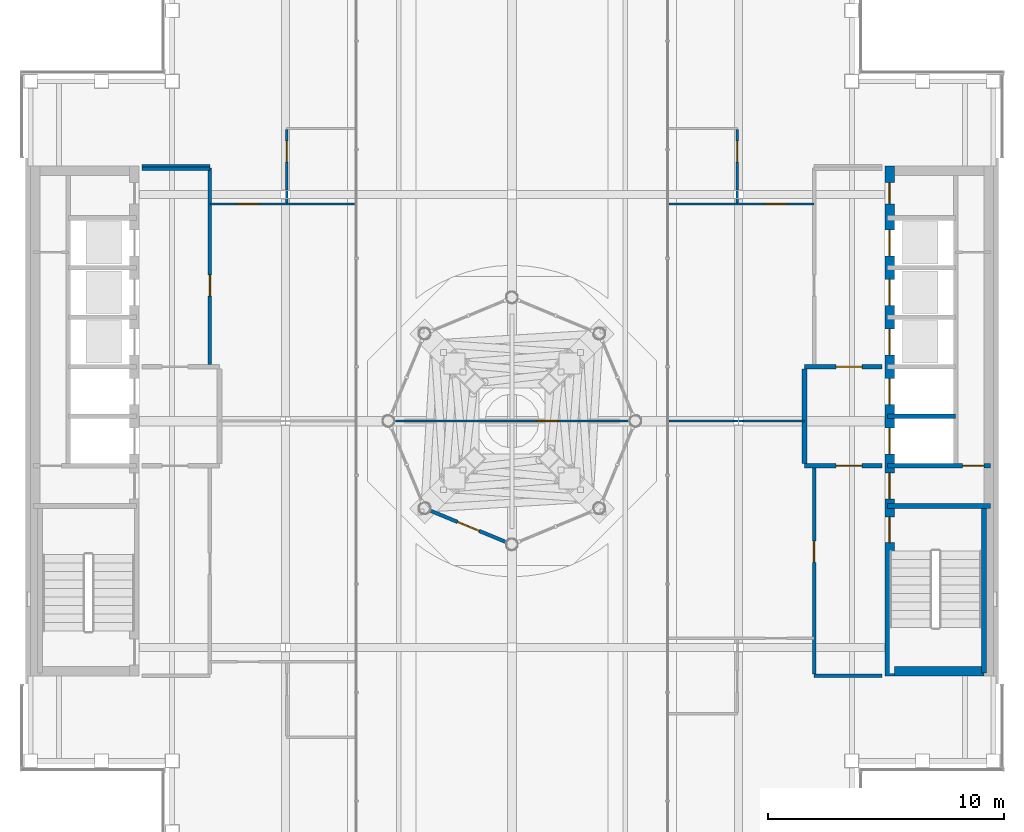
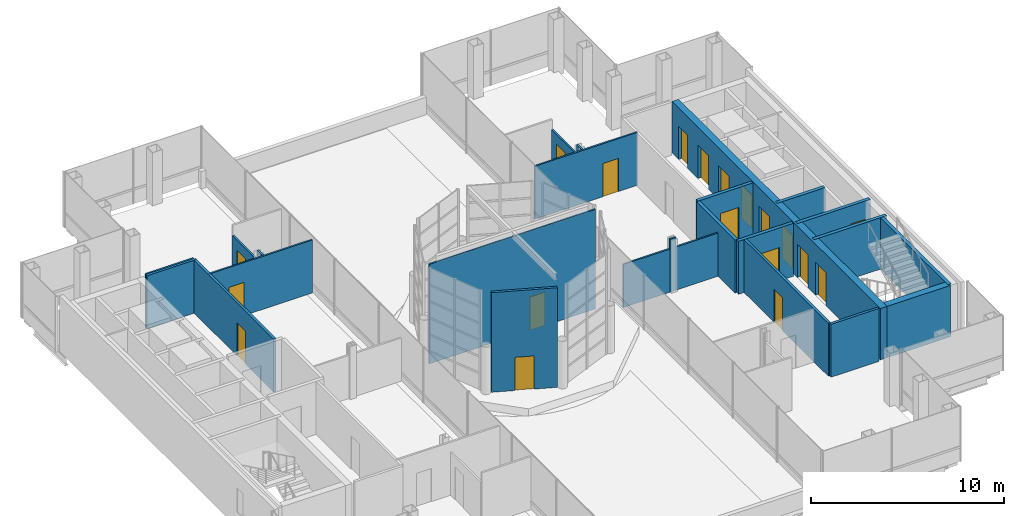
# One storey, part 26 of 32: 25 walls, 19 doors, 19 openings.
"""IFC4 building model written with IfcOpenShell, lengths in metres."""

from ifc_helpers import new_model, si_unit, direction, frame, frame_2d, origin, place, context, subcontext, project, spatial, rectangle, extrude, material, layer, layer_set, type_object, element, fill, save


model = new_model("IFC4")

# Units and contexts
model_context = context("Model", 3, precision=1e-05, world=origin(), true_north=direction((0.0, 1.0)))
body_context = subcontext(model_context, "Body", "Model", "MODEL_VIEW")
ifc_project = project(units=[si_unit("LENGTHUNIT", "METRE"), si_unit("AREAUNIT", "SQUARE_METRE"), si_unit("VOLUMEUNIT", "CUBIC_METRE"), si_unit("PLANEANGLEUNIT", "RADIAN"), si_unit("MASSUNIT", "GRAM", prefix="KILO")], contexts=[model_context])

# Site, building, storey
site_placement = place(None, origin())
site = spatial("IfcSite", under=ifc_project, at=site_placement, CompositionType="ELEMENT")
building_placement = place(site_placement, origin())
building = spatial("IfcBuilding", under=site, at=building_placement, Name="Cobrizo Arcos Hotel Tower", CompositionType="ELEMENT")
storey_placement = place(building_placement, frame((0.0, 0.0, 265.5)))
storey = spatial("IfcBuildingStorey", under=building, at=storey_placement, Name="L70", CompositionType="ELEMENT", Elevation=265.5)

# Walls
ifc_material_1 = material(Name="Gypsum board partition")
ifc_layer_1 = layer(ifc_material_1, 0.14990234375)
ifc_layer_set_1 = layer_set([ifc_layer_1], Name="Corridor wall EI 60 150")
wall_type_1 = type_object("IfcWallType", Name="Corridor wall EI 60 150", PredefinedType="PARTITIONING", material=ifc_layer_set_1)
for number, where, z_axis, x_axis, name in (
    (1, (12.800048828125, -10.800048828125, 0.0), (0.0, 0.0, 1.0), (1.0, 0.0, 0.0), "Partition 004"),
    (2, (-15.679931640625, 10.699951171875, 0.0), (0.0, 0.0, 1.0), (1.0, 0.0, 0.0), "Partition 035"),
    (3, (-15.679931640625, 10.800048828125, 0.0), (0.0, 0.0, 1.0), (1.0, 0.0, 0.0), "Partition 037"),
):
    element("IfcWall", number, at=place(storey_placement, frame(where, z_axis=z_axis, x_axis=x_axis)), inside=storey, type_object=wall_type_1, Name=name, PredefinedType="PARTITIONING", context=body_context, shape_type="SweptSolid", body=[
        extrude(rectangle(XDim=2.8798828125, YDim=0.14990234375, at=frame_2d((1.43994140625, 0.0))), origin(), (0.0, 0.0, 1.0), 3.35009765625),
    ])

# Wall, opening, door
wall_1_placement = place(storey_placement, frame((-12.800048828125, 2.39990234375, 0.0), z_axis=(0.0, 0.0, 1.0), x_axis=(0.0, 1.0, 0.0)))
wall_1 = element("IfcWall", 4, at=wall_1_placement, inside=storey, type_object=wall_type_1, Name="Partition 044", PredefinedType="PARTITIONING", context=body_context, shape_type="SweptSolid", body=[
    extrude(rectangle(XDim=8.3251953125, YDim=0.14990234375, at=frame_2d((4.16259765625, 0.0))), origin(), (0.0, 0.0, 1.0), 3.35009765625),
])
opening_1_placement = place(wall_1_placement, frame((2.889892578125, 0.0, 0.0)))
opening_1 = element("IfcOpeningElement", 5, at=opening_1_placement, cuts=wall_1, Name="Opening RD-11", PredefinedType="OPENING", context=body_context, shape_type="SweptSolid", body=[
    extrude(rectangle(XDim=0.89990234375, YDim=2.10009765625, at=frame_2d((0.449951171875, 1.050048828125))), frame((0.0, 0.0869140625, 0.0), z_axis=(0.0, -1.0, 0.0), x_axis=(1.0, 0.0, 0.0)), (0.0, 0.0, 1.0), 0.173828125),
])
ifc_material_2 = material(Name="Timber door leaf", Category="wood")
door_type_1 = type_object("IfcDoorType", Name="Room door FD30 900x2100", OperationType="SINGLE_SWING_LEFT", PredefinedType="DOOR", material=ifc_material_2)
door_1_placement = place(opening_1_placement, origin())
door_1 = element("IfcDoor", 6, at=door_1_placement, inside=storey, type_object=door_type_1, Name="Door RD-11", OperationType="SINGLE_SWING_LEFT", OverallHeight=2.10009765625, OverallWidth=0.89990234375, PredefinedType="DOOR", context=body_context, shape_type="SweptSolid", body=[
    extrude(rectangle(XDim=0.89990234375, YDim=2.10009765625, at=frame_2d((0.449951171875, 1.050048828125))), frame((0.0, 0.02490234375, 0.0), z_axis=(0.0, -1.0, 0.0), x_axis=(1.0, 0.0, 0.0)), (0.0, 0.0, 1.0), 0.050048828125),
])
fill(opening_1, door_1)

wall_2_placement = place(storey_placement, frame((12.800048828125, -10.72509765625, 0.0), z_axis=(0.0, 0.0, 1.0), x_axis=(0.0, 1.0, 0.0)))
wall_2 = element("IfcWall", 7, at=wall_2_placement, inside=storey, type_object=wall_type_1, Name="Partition 054", PredefinedType="PARTITIONING", context=body_context, shape_type="SweptSolid", body=[
    extrude(rectangle(XDim=8.72509765625, YDim=0.14990234375, at=frame_2d((4.362548828125, 0.0))), origin(), (0.0, 0.0, 1.0), 3.35009765625),
])
opening_2_placement = place(wall_2_placement, frame((4.735107421875, 0.0, 0.0)))
opening_2 = element("IfcOpeningElement", 8, at=opening_2_placement, cuts=wall_2, Name="Opening RD-09", PredefinedType="OPENING", context=body_context, shape_type="SweptSolid", body=[
    extrude(rectangle(XDim=0.89990234375, YDim=2.10009765625, at=frame_2d((0.449951171875, 1.050048828125))), frame((0.0, 0.0869140625, 0.0), z_axis=(0.0, -1.0, 0.0), x_axis=(1.0, 0.0, 0.0)), (0.0, 0.0, 1.0), 0.173828125),
])
door_2_placement = place(opening_2_placement, origin())
door_2 = element("IfcDoor", 9, at=door_2_placement, inside=storey, type_object=door_type_1, Name="Door RD-09", OperationType="SINGLE_SWING_RIGHT", OverallHeight=2.10009765625, OverallWidth=0.89990234375, PredefinedType="DOOR", context=body_context, shape_type="SweptSolid", body=[
    extrude(rectangle(XDim=0.89990234375, YDim=2.10009765625, at=frame_2d((0.449951171875, 1.050048828125))), frame((0.0, 0.02490234375, 0.0), z_axis=(0.0, -1.0, 0.0), x_axis=(1.0, 0.0, 0.0)), (0.0, 0.0, 1.0), 0.050048828125),
])
fill(opening_2, door_2)

ifc_material_3 = material(Name="Aluminium composite panel pale metal", Category="aluminium")
ifc_layer_2 = layer(ifc_material_3, 0.14990234375)
ifc_layer_set_2 = layer_set([ifc_layer_2], Name="DW-1 drum door wall 150")
wall_type_2 = type_object("IfcWallType", Name="DW-1 drum door wall 150", PredefinedType="SOLIDWALL", material=ifc_layer_set_2)
wall_3_placement = place(storey_placement, frame((-3.4375, -3.80859375, 0.5), z_axis=(0.0, 0.0, 1.0), x_axis=(0.923875699159, -0.382692686764, 0.0)))
wall_3 = element("IfcWall", 10, at=wall_3_placement, inside=storey, type_object=wall_type_2, Name="Drum door wall", PredefinedType="SOLIDWALL", context=body_context, shape_type="SweptSolid", body=[
    extrude(rectangle(XDim=3.436767578125, YDim=0.14990234375, at=frame_2d((1.71826171875, 0.0))), origin(), (0.0, 0.0, 1.0), 6.300048828125),
])
opening_3_placement = place(wall_3_placement, frame((1.218505859375, 0.0, 0.0)))
opening_3 = element("IfcOpeningElement", 11, at=opening_3_placement, cuts=wall_3, Name="Opening R-01", PredefinedType="OPENING", context=body_context, shape_type="SweptSolid", body=[
    extrude(rectangle(XDim=1.0, YDim=2.10009765625, at=frame_2d((0.5, 1.050048828125))), frame((0.0, 0.0869140625, 0.0), z_axis=(0.0, -1.0, 0.0), x_axis=(1.0, 0.0, 0.0)), (0.0, 0.0, 1.0), 0.173828125),
])
ifc_material_4 = material(Name="Steel painted louvred", Category="steel")
door_type_2 = type_object("IfcDoorType", Name="D-R1 plant access door 1000x2100", OperationType="SINGLE_SWING_LEFT", PredefinedType="DOOR", material=ifc_material_4)
door_3_placement = place(opening_3_placement, origin())
door_3 = element("IfcDoor", 12, at=door_3_placement, inside=storey, type_object=door_type_2, Name="Plant access door R-01", OperationType="SINGLE_SWING_LEFT", OverallHeight=2.10009765625, OverallWidth=1.0, PredefinedType="DOOR", context=body_context, shape_type="SweptSolid", body=[
    extrude(rectangle(XDim=1.0, YDim=2.10009765625, at=frame_2d((0.5, 1.050048828125))), frame((0.0, 0.02490234375, 0.0), z_axis=(0.0, -1.0, 0.0), x_axis=(1.0, 0.0, 0.0)), (0.0, 0.0, 1.0), 0.050048828125),
])
fill(opening_3, door_3)

ifc_layer_3 = layer(ifc_material_3, 0.10009765625)
ifc_layer_set_3 = layer_set([ifc_layer_3], Name="DW-2 plant partition 100")
wall_type_3 = type_object("IfcWallType", Name="DW-2 plant partition 100", PredefinedType="PARTITIONING", material=ifc_layer_set_3)
wall_4_placement = place(storey_placement, frame((-4.978515625, 0.0, 0.5), z_axis=(0.0, 0.0, 1.0), x_axis=(1.0, 0.0, 0.0)))
wall_4 = element("IfcWall", 13, at=wall_4_placement, inside=storey, type_object=wall_type_3, Name="Plant partition", PredefinedType="PARTITIONING", context=body_context, shape_type="SweptSolid", body=[
    extrude(rectangle(XDim=9.95703125, YDim=0.10009765625, at=frame_2d((4.978515625, 0.0))), origin(), (0.0, 0.0, 1.0), 6.293701171875),
])
opening_4_placement = place(wall_4_placement, frame((6.028564453125, 0.0, 0.0)))
opening_4 = element("IfcOpeningElement", 14, at=opening_4_placement, cuts=wall_4, Name="Opening R-02", PredefinedType="OPENING", context=body_context, shape_type="SweptSolid", body=[
    extrude(rectangle(XDim=0.89990234375, YDim=2.10009765625, at=frame_2d((0.449951171875, 1.050048828125))), frame((0.0, 0.06201171875, 0.0), z_axis=(0.0, -1.0, 0.0), x_axis=(1.0, 0.0, 0.0)), (0.0, 0.0, 1.0), 0.1240234375),
])
ifc_material_5 = material(Name="Steel painted", Category="steel")
door_type_3 = type_object("IfcDoorType", Name="D-R2 plant partition door 900x2100", OperationType="SINGLE_SWING_LEFT", PredefinedType="DOOR", material=ifc_material_5)
door_4_placement = place(opening_4_placement, origin())
door_4 = element("IfcDoor", 15, at=door_4_placement, inside=storey, type_object=door_type_3, Name="Plant partition door R-02", OperationType="SINGLE_SWING_LEFT", OverallHeight=2.10009765625, OverallWidth=0.89990234375, PredefinedType="DOOR", context=body_context, shape_type="SweptSolid", body=[
    extrude(rectangle(XDim=0.89990234375, YDim=2.10009765625, at=frame_2d((0.449951171875, 1.050048828125))), frame((0.0, 0.02490234375, 0.0), z_axis=(0.0, -1.0, 0.0), x_axis=(1.0, 0.0, 0.0)), (0.0, 0.0, 1.0), 0.050048828125),
])
fill(opening_4, door_4)

# Walls
ifc_layer_4 = layer(ifc_material_1, 0.10009765625)
ifc_layer_set_4 = layer_set([ifc_layer_4], Name="Partition EI 30 100")
wall_type_4 = type_object("IfcWallType", Name="Partition EI 30 100", PredefinedType="PARTITIONING", material=ifc_layer_set_4)
wall_5_placement = place(storey_placement, frame((6.64404296875, 0.0, 0.0), z_axis=(0.0, 0.0, 1.0), x_axis=(1.0, 0.0, 0.0)))
element("IfcWall", 16, at=wall_5_placement, inside=storey, type_object=wall_type_4, Name="Partition 016", PredefinedType="PARTITIONING", context=body_context, shape_type="SweptSolid", body=[
    extrude(rectangle(XDim=2.771728515625, YDim=0.10009765625, at=frame_2d((1.3857421875, 0.0))), origin(), (0.0, 0.0, 1.0), 2.72802734375),
])
wall_6_placement = place(storey_placement, frame((9.416015625, 0.0, 0.0), z_axis=(0.0, 0.0, 1.0), x_axis=(1.0, 0.0, 0.0)))
element("IfcWall", 17, at=wall_6_placement, inside=storey, type_object=wall_type_4, Name="Partition 017", PredefinedType="PARTITIONING", context=body_context, shape_type="SweptSolid", body=[
    extrude(rectangle(XDim=0.367919921875, YDim=0.10009765625, at=frame_2d((0.18408203125, 0.0))), origin(), (0.0, 0.0, 1.0), 3.35009765625),
])
wall_7_placement = place(storey_placement, frame((9.783935546875, 0.0, 0.0), z_axis=(0.0, 0.0, 1.0), x_axis=(1.0, 0.0, 0.0)))
element("IfcWall", 18, at=wall_7_placement, inside=storey, type_object=wall_type_4, Name="Partition 018", PredefinedType="PARTITIONING", context=body_context, shape_type="SweptSolid", body=[
    extrude(rectangle(XDim=2.615966796875, YDim=0.10009765625, at=frame_2d((1.30810546875, 0.0))), origin(), (0.0, 0.0, 1.0), 2.72802734375),
])

# Wall, opening, door
wall_8_placement = place(storey_placement, frame((-12.800048828125, 9.199951171875, 0.0), z_axis=(0.0, 0.0, 1.0), x_axis=(1.0, 0.0, 0.0)))
wall_8 = element("IfcWall", 19, at=wall_8_placement, inside=storey, type_object=wall_type_4, Name="Partition 033", PredefinedType="PARTITIONING", context=body_context, shape_type="SweptSolid", body=[
    extrude(rectangle(XDim=6.156005859375, YDim=0.10009765625, at=frame_2d((3.078125, 0.0))), origin(), (0.0, 0.0, 1.0), 3.35009765625),
])
opening_5_placement = place(wall_8_placement, frame((1.1630859375, 0.0, 0.0)))
opening_5 = element("IfcOpeningElement", 20, at=opening_5_placement, cuts=wall_8, Name="Opening RD-12", PredefinedType="OPENING", context=body_context, shape_type="SweptSolid", body=[
    extrude(rectangle(XDim=0.89990234375, YDim=2.10009765625, at=frame_2d((0.449951171875, 1.050048828125))), frame((0.0, 0.06201171875, 0.0), z_axis=(0.0, -1.0, 0.0), x_axis=(1.0, 0.0, 0.0)), (0.0, 0.0, 1.0), 0.1240234375),
])
door_5_placement = place(opening_5_placement, origin())
door_5 = element("IfcDoor", 21, at=door_5_placement, inside=storey, type_object=door_type_1, Name="Door RD-12", OperationType="SINGLE_SWING_LEFT", OverallHeight=2.10009765625, OverallWidth=0.89990234375, PredefinedType="DOOR", context=body_context, shape_type="SweptSolid", body=[
    extrude(rectangle(XDim=0.89990234375, YDim=2.10009765625, at=frame_2d((0.449951171875, 1.050048828125))), frame((0.0, 0.02490234375, 0.0), z_axis=(0.0, -1.0, 0.0), x_axis=(1.0, 0.0, 0.0)), (0.0, 0.0, 1.0), 0.050048828125),
])
fill(opening_5, door_5)

wall_9_placement = place(storey_placement, frame((6.64404296875, 9.199951171875, 0.0), z_axis=(0.0, 0.0, 1.0), x_axis=(1.0, 0.0, 0.0)))
wall_9 = element("IfcWall", 22, at=wall_9_placement, inside=storey, type_object=wall_type_4, Name="Partition 034", PredefinedType="PARTITIONING", context=body_context, shape_type="SweptSolid", body=[
    extrude(rectangle(XDim=6.156005859375, YDim=0.10009765625, at=frame_2d((3.078125, 0.0))), origin(), (0.0, 0.0, 1.0), 3.35009765625),
])
opening_6_placement = place(wall_9_placement, frame((4.093017578125, 0.0, 0.0)))
opening_6 = element("IfcOpeningElement", 23, at=opening_6_placement, cuts=wall_9, Name="Opening RD-08", PredefinedType="OPENING", context=body_context, shape_type="SweptSolid", body=[
    extrude(rectangle(XDim=0.89990234375, YDim=2.10009765625, at=frame_2d((0.449951171875, 1.050048828125))), frame((0.0, 0.06201171875, 0.0), z_axis=(0.0, -1.0, 0.0), x_axis=(1.0, 0.0, 0.0)), (0.0, 0.0, 1.0), 0.1240234375),
])
door_6_placement = place(opening_6_placement, origin())
door_6 = element("IfcDoor", 24, at=door_6_placement, inside=storey, type_object=door_type_1, Name="Door RD-08", OperationType="SINGLE_SWING_RIGHT", OverallHeight=2.10009765625, OverallWidth=0.89990234375, PredefinedType="DOOR", context=body_context, shape_type="SweptSolid", body=[
    extrude(rectangle(XDim=0.89990234375, YDim=2.10009765625, at=frame_2d((0.449951171875, 1.050048828125))), frame((0.0, 0.02490234375, 0.0), z_axis=(0.0, -1.0, 0.0), x_axis=(1.0, 0.0, 0.0)), (0.0, 0.0, 1.0), 0.050048828125),
])
fill(opening_6, door_6)

# Wall
wall_10_placement = place(storey_placement, frame((-9.550048828125, 9.25, 0.0), z_axis=(0.0, 0.0, 1.0), x_axis=(0.0, 1.0, 0.0)))
element("IfcWall", 25, at=wall_10_placement, inside=storey, type_object=wall_type_4, Name="Partition 047", PredefinedType="PARTITIONING", context=body_context, shape_type="SweptSolid", body=[
    extrude(rectangle(XDim=0.533935546875, YDim=0.10009765625, at=frame_2d((0.26708984375, 0.0))), origin(), (0.0, 0.0, 1.0), 3.35009765625),
])

# Wall, opening, door
wall_11_placement = place(storey_placement, frame((-9.550048828125, 9.783935546875, 0.0), z_axis=(0.0, 0.0, 1.0), x_axis=(0.0, 1.0, 0.0)))
wall_11 = element("IfcWall", 26, at=wall_11_placement, inside=storey, type_object=wall_type_4, Name="Partition 048", PredefinedType="PARTITIONING", context=body_context, shape_type="SweptSolid", body=[
    extrude(rectangle(XDim=2.566162109375, YDim=0.10009765625, at=frame_2d((1.283203125, 0.0))), origin(), (0.0, 0.0, 1.0), 2.72802734375),
])
opening_7_placement = place(wall_11_placement, frame((1.18603515625, 0.0, 0.0)))
opening_7 = element("IfcOpeningElement", 27, at=opening_7_placement, cuts=wall_11, Name="Opening ED-03", PredefinedType="OPENING", context=body_context, shape_type="SweptSolid", body=[
    extrude(rectangle(XDim=0.89990234375, YDim=2.10009765625, at=frame_2d((0.449951171875, 1.050048828125))), frame((0.0, 0.06201171875, 0.0), z_axis=(0.0, -1.0, 0.0), x_axis=(1.0, 0.0, 0.0)), (0.0, 0.0, 1.0), 0.1240234375),
])
door_type_4 = type_object("IfcDoorType", Name="En-suite door 900x2100", OperationType="SINGLE_SWING_LEFT", PredefinedType="DOOR", material=ifc_material_2)
door_7_placement = place(opening_7_placement, origin())
door_7 = element("IfcDoor", 28, at=door_7_placement, inside=storey, type_object=door_type_4, Name="Door ED-03", OperationType="SINGLE_SWING_LEFT", OverallHeight=2.10009765625, OverallWidth=0.89990234375, PredefinedType="DOOR", context=body_context, shape_type="SweptSolid", body=[
    extrude(rectangle(XDim=0.89990234375, YDim=2.10009765625, at=frame_2d((0.449951171875, 1.050048828125))), frame((0.0, 0.02490234375, 0.0), z_axis=(0.0, -1.0, 0.0), x_axis=(1.0, 0.0, 0.0)), (0.0, 0.0, 1.0), 0.050048828125),
])
fill(opening_7, door_7)

# Wall
wall_12_placement = place(storey_placement, frame((9.550048828125, 9.25, 0.0), z_axis=(0.0, 0.0, 1.0), x_axis=(0.0, 1.0, 0.0)))
element("IfcWall", 29, at=wall_12_placement, inside=storey, type_object=wall_type_4, Name="Partition 051", PredefinedType="PARTITIONING", context=body_context, shape_type="SweptSolid", body=[
    extrude(rectangle(XDim=0.533935546875, YDim=0.10009765625, at=frame_2d((0.26708984375, 0.0))), origin(), (0.0, 0.0, 1.0), 3.35009765625),
])

# Wall, opening, door
wall_13_placement = place(storey_placement, frame((9.550048828125, 9.783935546875, 0.0), z_axis=(0.0, 0.0, 1.0), x_axis=(0.0, 1.0, 0.0)))
wall_13 = element("IfcWall", 30, at=wall_13_placement, inside=storey, type_object=wall_type_4, Name="Partition 052", PredefinedType="PARTITIONING", context=body_context, shape_type="SweptSolid", body=[
    extrude(rectangle(XDim=2.566162109375, YDim=0.10009765625, at=frame_2d((1.283203125, 0.0))), origin(), (0.0, 0.0, 1.0), 2.72802734375),
])
opening_8_placement = place(wall_13_placement, frame((1.18603515625, 0.0, 0.0)))
opening_8 = element("IfcOpeningElement", 31, at=opening_8_placement, cuts=wall_13, Name="Opening ED-01", PredefinedType="OPENING", context=body_context, shape_type="SweptSolid", body=[
    extrude(rectangle(XDim=0.89990234375, YDim=2.10009765625, at=frame_2d((0.449951171875, 1.050048828125))), frame((0.0, 0.06201171875, 0.0), z_axis=(0.0, -1.0, 0.0), x_axis=(1.0, 0.0, 0.0)), (0.0, 0.0, 1.0), 0.1240234375),
])
door_8_placement = place(opening_8_placement, origin())
door_8 = element("IfcDoor", 32, at=door_8_placement, inside=storey, type_object=door_type_4, Name="Door ED-01", OperationType="SINGLE_SWING_RIGHT", OverallHeight=2.10009765625, OverallWidth=0.89990234375, PredefinedType="DOOR", context=body_context, shape_type="SweptSolid", body=[
    extrude(rectangle(XDim=0.89990234375, YDim=2.10009765625, at=frame_2d((0.449951171875, 1.050048828125))), frame((0.0, 0.02490234375, 0.0), z_axis=(0.0, -1.0, 0.0), x_axis=(1.0, 0.0, 0.0)), (0.0, 0.0, 1.0), 0.050048828125),
])
fill(opening_8, door_8)

# Wall, openings, doors
ifc_material_6 = material(Name="Concrete f'c 40 MPa", Category="concrete")
ifc_layer_5 = layer(ifc_material_6, 0.39990234375)
ifc_layer_set_5 = layer_set([ifc_layer_5], Name="RC core wall 400 f'c 40")
wall_type_5 = type_object("IfcWallType", Name="RC core wall 400 f'c 40", PredefinedType="SHEAR", material=ifc_layer_set_5)
wall_14_placement = place(storey_placement, frame((16.0, -10.800048828125, 0.0), z_axis=(0.0, 0.0, 1.0), x_axis=(0.0, 1.0, 0.0)))
wall_14 = element("IfcWall", 33, at=wall_14_placement, inside=storey, type_object=wall_type_5, Name="Core wall CW4, east core, inner face, L70", PredefinedType="SHEAR", context=body_context, shape_type="SweptSolid", body=[
    extrude(rectangle(XDim=21.60009765625, YDim=0.39990234375, at=frame_2d((10.800048828125, 0.0))), origin(), (0.0, 0.0, 1.0), 3.25),
])
opening_9_placement = place(wall_14_placement, frame((9.39990234375, 0.0, 0.0)))
opening_9 = element("IfcOpeningElement", 34, at=opening_9_placement, cuts=wall_14, Name="Opening LD-06", PredefinedType="OPENING", context=body_context, shape_type="SweptSolid", body=[
    extrude(rectangle(XDim=1.10009765625, YDim=2.10009765625, at=frame_2d((0.550048828125, 1.050048828125))), frame((0.0, 0.2119140625, 0.0), z_axis=(0.0, -1.0, 0.0), x_axis=(1.0, 0.0, 0.0)), (0.0, 0.0, 1.0), 0.423828125),
])
opening_10_placement = place(wall_14_placement, frame((11.5, 0.0, 0.0)))
opening_10 = element("IfcOpeningElement", 35, at=opening_10_placement, cuts=wall_14, Name="Opening LD-07", PredefinedType="OPENING", context=body_context, shape_type="SweptSolid", body=[
    extrude(rectangle(XDim=1.10009765625, YDim=2.10009765625, at=frame_2d((0.550048828125, 1.050048828125))), frame((0.0, 0.2119140625, 0.0), z_axis=(0.0, -1.0, 0.0), x_axis=(1.0, 0.0, 0.0)), (0.0, 0.0, 1.0), 0.423828125),
])
opening_11_placement = place(wall_14_placement, frame((13.60009765625, 0.0, 0.0)))
opening_11 = element("IfcOpeningElement", 36, at=opening_11_placement, cuts=wall_14, Name="Opening LD-08", PredefinedType="OPENING", context=body_context, shape_type="SweptSolid", body=[
    extrude(rectangle(XDim=1.10009765625, YDim=2.10009765625, at=frame_2d((0.550048828125, 1.050048828125))), frame((0.0, 0.2119140625, 0.0), z_axis=(0.0, -1.0, 0.0), x_axis=(1.0, 0.0, 0.0)), (0.0, 0.0, 1.0), 0.423828125),
])
opening_12_placement = place(wall_14_placement, frame((15.699951171875, 0.0, 0.0)))
opening_12 = element("IfcOpeningElement", 37, at=opening_12_placement, cuts=wall_14, Name="Opening LD-09", PredefinedType="OPENING", context=body_context, shape_type="SweptSolid", body=[
    extrude(rectangle(XDim=1.10009765625, YDim=2.10009765625, at=frame_2d((0.550048828125, 1.050048828125))), frame((0.0, 0.2119140625, 0.0), z_axis=(0.0, -1.0, 0.0), x_axis=(1.0, 0.0, 0.0)), (0.0, 0.0, 1.0), 0.423828125),
])
opening_13_placement = place(wall_14_placement, frame((17.800048828125, 0.0, 0.0)))
opening_13 = element("IfcOpeningElement", 38, at=opening_13_placement, cuts=wall_14, Name="Opening LD-10", PredefinedType="OPENING", context=body_context, shape_type="SweptSolid", body=[
    extrude(rectangle(XDim=1.10009765625, YDim=2.10009765625, at=frame_2d((0.550048828125, 1.050048828125))), frame((0.0, 0.2119140625, 0.0), z_axis=(0.0, -1.0, 0.0), x_axis=(1.0, 0.0, 0.0)), (0.0, 0.0, 1.0), 0.423828125),
])
opening_14_placement = place(wall_14_placement, frame((5.64208984375, 0.0, 0.0)))
opening_14 = element("IfcOpeningElement", 39, at=opening_14_placement, cuts=wall_14, Name="Opening SD-02", PredefinedType="OPENING", context=body_context, shape_type="SweptSolid", body=[
    extrude(rectangle(XDim=1.10009765625, YDim=2.10009765625, at=frame_2d((0.550048828125, 1.050048828125))), frame((0.0, 0.2119140625, 0.0), z_axis=(0.0, -1.0, 0.0), x_axis=(1.0, 0.0, 0.0)), (0.0, 0.0, 1.0), 0.423828125),
])
opening_15_placement = place(wall_14_placement, frame((7.5, 0.0, 0.0)))
opening_15 = element("IfcOpeningElement", 40, at=opening_15_placement, cuts=wall_14, Name="Opening FD-04", PredefinedType="OPENING", context=body_context, shape_type="SweptSolid", body=[
    extrude(rectangle(XDim=1.10009765625, YDim=2.10009765625, at=frame_2d((0.550048828125, 1.050048828125))), frame((0.0, 0.2119140625, 0.0), z_axis=(0.0, -1.0, 0.0), x_axis=(1.0, 0.0, 0.0)), (0.0, 0.0, 1.0), 0.423828125),
])
opening_16_placement = place(wall_14_placement, frame((20.0, 0.0, 0.0)))
opening_16 = element("IfcOpeningElement", 41, at=opening_16_placement, cuts=wall_14, Name="Opening RD-04", PredefinedType="OPENING", context=body_context, shape_type="SweptSolid", body=[
    extrude(rectangle(XDim=0.89990234375, YDim=2.10009765625, at=frame_2d((0.449951171875, 1.050048828125))), frame((0.0, 0.2119140625, 0.0), z_axis=(0.0, -1.0, 0.0), x_axis=(1.0, 0.0, 0.0)), (0.0, 0.0, 1.0), 0.423828125),
])
ifc_material_7 = material(Name="Steel door leaf", Category="steel")
door_type_5 = type_object("IfcDoorType", Name="Fire door FD60 1100x2100", OperationType="SINGLE_SWING_LEFT", PredefinedType="DOOR", material=ifc_material_7)
door_9_placement = place(opening_15_placement, origin())
door_9 = element("IfcDoor", 42, at=door_9_placement, inside=storey, type_object=door_type_5, Name="Door FD-04", OperationType="SINGLE_SWING_RIGHT", OverallHeight=2.10009765625, OverallWidth=1.10009765625, PredefinedType="DOOR", context=body_context, shape_type="SweptSolid", body=[
    extrude(rectangle(XDim=1.10009765625, YDim=2.10009765625, at=frame_2d((0.550048828125, 1.050048828125))), frame((0.0, 0.02490234375, 0.0), z_axis=(0.0, -1.0, 0.0), x_axis=(1.0, 0.0, 0.0)), (0.0, 0.0, 1.0), 0.050048828125),
])
fill(opening_15, door_9)
door_type_6 = type_object("IfcDoorType", Name="Lift landing door 1100x2100", OperationType="SLIDING_TO_LEFT", PredefinedType="DOOR", material=ifc_material_7)
door_10_placement = place(opening_9_placement, origin())
door_10 = element("IfcDoor", 43, at=door_10_placement, inside=storey, type_object=door_type_6, Name="Lift landing door LD-06", OperationType="SLIDING_TO_LEFT", OverallHeight=2.10009765625, OverallWidth=1.10009765625, PredefinedType="DOOR", context=body_context, shape_type="SweptSolid", body=[
    extrude(rectangle(XDim=1.10009765625, YDim=2.10009765625, at=frame_2d((0.550048828125, 1.050048828125))), frame((0.0, 0.02490234375, 0.0), z_axis=(0.0, -1.0, 0.0), x_axis=(1.0, 0.0, 0.0)), (0.0, 0.0, 1.0), 0.050048828125),
])
fill(opening_9, door_10)
door_11_placement = place(opening_10_placement, origin())
door_11 = element("IfcDoor", 44, at=door_11_placement, inside=storey, type_object=door_type_6, Name="Lift landing door LD-07", OperationType="SLIDING_TO_LEFT", OverallHeight=2.10009765625, OverallWidth=1.10009765625, PredefinedType="DOOR", context=body_context, shape_type="SweptSolid", body=[
    extrude(rectangle(XDim=1.10009765625, YDim=2.10009765625, at=frame_2d((0.550048828125, 1.050048828125))), frame((0.0, 0.02490234375, 0.0), z_axis=(0.0, -1.0, 0.0), x_axis=(1.0, 0.0, 0.0)), (0.0, 0.0, 1.0), 0.050048828125),
])
fill(opening_10, door_11)
door_12_placement = place(opening_11_placement, origin())
door_12 = element("IfcDoor", 45, at=door_12_placement, inside=storey, type_object=door_type_6, Name="Lift landing door LD-08", OperationType="SLIDING_TO_LEFT", OverallHeight=2.10009765625, OverallWidth=1.10009765625, PredefinedType="DOOR", context=body_context, shape_type="SweptSolid", body=[
    extrude(rectangle(XDim=1.10009765625, YDim=2.10009765625, at=frame_2d((0.550048828125, 1.050048828125))), frame((0.0, 0.02490234375, 0.0), z_axis=(0.0, -1.0, 0.0), x_axis=(1.0, 0.0, 0.0)), (0.0, 0.0, 1.0), 0.050048828125),
])
fill(opening_11, door_12)
door_13_placement = place(opening_12_placement, origin())
door_13 = element("IfcDoor", 46, at=door_13_placement, inside=storey, type_object=door_type_6, Name="Lift landing door LD-09", OperationType="SLIDING_TO_LEFT", OverallHeight=2.10009765625, OverallWidth=1.10009765625, PredefinedType="DOOR", context=body_context, shape_type="SweptSolid", body=[
    extrude(rectangle(XDim=1.10009765625, YDim=2.10009765625, at=frame_2d((0.550048828125, 1.050048828125))), frame((0.0, 0.02490234375, 0.0), z_axis=(0.0, -1.0, 0.0), x_axis=(1.0, 0.0, 0.0)), (0.0, 0.0, 1.0), 0.050048828125),
])
fill(opening_12, door_13)
door_14_placement = place(opening_13_placement, origin())
door_14 = element("IfcDoor", 47, at=door_14_placement, inside=storey, type_object=door_type_6, Name="Lift landing door LD-10", OperationType="SLIDING_TO_LEFT", OverallHeight=2.10009765625, OverallWidth=1.10009765625, PredefinedType="DOOR", context=body_context, shape_type="SweptSolid", body=[
    extrude(rectangle(XDim=1.10009765625, YDim=2.10009765625, at=frame_2d((0.550048828125, 1.050048828125))), frame((0.0, 0.02490234375, 0.0), z_axis=(0.0, -1.0, 0.0), x_axis=(1.0, 0.0, 0.0)), (0.0, 0.0, 1.0), 0.050048828125),
])
fill(opening_13, door_14)
door_15_placement = place(opening_16_placement, origin())
door_15 = element("IfcDoor", 48, at=door_15_placement, inside=storey, type_object=door_type_1, Name="Door RD-04", OperationType="SINGLE_SWING_RIGHT", OverallHeight=2.10009765625, OverallWidth=0.89990234375, PredefinedType="DOOR", context=body_context, shape_type="SweptSolid", body=[
    extrude(rectangle(XDim=0.89990234375, YDim=2.10009765625, at=frame_2d((0.449951171875, 1.050048828125))), frame((0.0, 0.02490234375, 0.0), z_axis=(0.0, -1.0, 0.0), x_axis=(1.0, 0.0, 0.0)), (0.0, 0.0, 1.0), 0.050048828125),
])
fill(opening_16, door_15)
door_type_7 = type_object("IfcDoorType", Name="Stair door FD60S 1100x2100", OperationType="SINGLE_SWING_LEFT", PredefinedType="DOOR", material=ifc_material_7)
door_16_placement = place(opening_14_placement, origin())
door_16 = element("IfcDoor", 49, at=door_16_placement, inside=storey, type_object=door_type_7, Name="Door SD-02", OperationType="SINGLE_SWING_LEFT", OverallHeight=2.10009765625, OverallWidth=1.10009765625, PredefinedType="DOOR", context=body_context, shape_type="SweptSolid", body=[
    extrude(rectangle(XDim=1.10009765625, YDim=2.10009765625, at=frame_2d((0.550048828125, 1.050048828125))), frame((0.0, 0.02490234375, 0.0), z_axis=(0.0, -1.0, 0.0), x_axis=(1.0, 0.0, 0.0)), (0.0, 0.0, 1.0), 0.050048828125),
])
fill(opening_14, door_16)

# Wall
wall_15_placement = place(storey_placement, frame((16.199951171875, -10.60009765625, 0.0), z_axis=(0.0, 0.0, 1.0), x_axis=(1.0, 0.0, 0.0)))
element("IfcWall", 50, at=wall_15_placement, inside=storey, type_object=wall_type_5, Name="Core wall CW4, east core, south end, L70", PredefinedType="SHEAR", context=body_context, shape_type="SweptSolid", body=[
    extrude(rectangle(XDim=3.800048828125, YDim=0.39990234375, at=frame_2d((1.89990234375, 0.0))), origin(), (0.0, 0.0, 1.0), 3.25),
])

# Wall, opening, door
ifc_layer_6 = layer(ifc_material_1, 0.199951171875)
ifc_layer_set_6 = layer_set([ifc_layer_6], Name="Shaft wall EI 120 200")
wall_type_6 = type_object("IfcWallType", Name="Shaft wall EI 120 200", PredefinedType="PARTITIONING", material=ifc_layer_set_6)
wall_16_placement = place(storey_placement, frame((12.39990234375, -1.89990234375, 0.0), z_axis=(0.0, 0.0, 1.0), x_axis=(1.0, 0.0, 0.0)))
wall_16 = element("IfcWall", 51, at=wall_16_placement, inside=storey, type_object=wall_type_6, Name="Partition 011", PredefinedType="PARTITIONING", context=body_context, shape_type="SweptSolid", body=[
    extrude(rectangle(XDim=3.280029296875, YDim=0.199951171875, at=frame_2d((1.64013671875, 0.0))), origin(), (0.0, 0.0, 1.0), 3.35009765625),
])
opening_17_placement = place(wall_16_placement, frame((1.340087890625, 0.0, 0.0)))
opening_17 = element("IfcOpeningElement", 52, at=opening_17_placement, cuts=wall_16, Name="Opening FD-06", PredefinedType="OPENING", context=body_context, shape_type="SweptSolid", body=[
    extrude(rectangle(XDim=1.10009765625, YDim=2.10009765625, at=frame_2d((0.550048828125, 1.050048828125))), frame((0.0, 0.112060546875, 0.0), z_axis=(0.0, -1.0, 0.0), x_axis=(1.0, 0.0, 0.0)), (0.0, 0.0, 1.0), 0.223876953125),
])
door_17_placement = place(opening_17_placement, origin())
door_17 = element("IfcDoor", 53, at=door_17_placement, inside=storey, type_object=door_type_5, Name="Door FD-06", OperationType="SINGLE_SWING_RIGHT", OverallHeight=2.10009765625, OverallWidth=1.10009765625, PredefinedType="DOOR", context=body_context, shape_type="SweptSolid", body=[
    extrude(rectangle(XDim=1.10009765625, YDim=2.10009765625, at=frame_2d((0.550048828125, 1.050048828125))), frame((0.0, 0.02490234375, 0.0), z_axis=(0.0, -1.0, 0.0), x_axis=(1.0, 0.0, 0.0)), (0.0, 0.0, 1.0), 0.050048828125),
])
fill(opening_17, door_17)

wall_17_placement = place(storey_placement, frame((15.919921875, -1.89990234375, 0.0), z_axis=(0.0, 0.0, 1.0), x_axis=(1.0, 0.0, 0.0)))
wall_17 = element("IfcWall", 54, at=wall_17_placement, inside=storey, type_object=wall_type_6, Name="Partition 012", PredefinedType="PARTITIONING", context=body_context, shape_type="SweptSolid", body=[
    extrude(rectangle(XDim=4.360107421875, YDim=0.199951171875, at=frame_2d((2.18017578125, 0.0))), origin(), (0.0, 0.0, 1.0), 3.25),
])
opening_18_placement = place(wall_17_placement, frame((3.179931640625, 0.0, 0.0)))
opening_18 = element("IfcOpeningElement", 55, at=opening_18_placement, cuts=wall_17, Name="Opening RD-05", PredefinedType="OPENING", context=body_context, shape_type="SweptSolid", body=[
    extrude(rectangle(XDim=0.89990234375, YDim=2.10009765625, at=frame_2d((0.449951171875, 1.050048828125))), frame((0.0, 0.112060546875, 0.0), z_axis=(0.0, -1.0, 0.0), x_axis=(1.0, 0.0, 0.0)), (0.0, 0.0, 1.0), 0.223876953125),
])
door_18_placement = place(opening_18_placement, origin())
door_18 = element("IfcDoor", 56, at=door_18_placement, inside=storey, type_object=door_type_1, Name="Door RD-05", OperationType="SINGLE_SWING_RIGHT", OverallHeight=2.10009765625, OverallWidth=0.89990234375, PredefinedType="DOOR", context=body_context, shape_type="SweptSolid", body=[
    extrude(rectangle(XDim=0.89990234375, YDim=2.10009765625, at=frame_2d((0.449951171875, 1.050048828125))), frame((0.0, 0.02490234375, 0.0), z_axis=(0.0, -1.0, 0.0), x_axis=(1.0, 0.0, 0.0)), (0.0, 0.0, 1.0), 0.050048828125),
])
fill(opening_18, door_18)

# Wall
wall_18_placement = place(storey_placement, frame((15.919921875, 0.199951171875, 0.0), z_axis=(0.0, 0.0, 1.0), x_axis=(1.0, 0.0, 0.0)))
element("IfcWall", 57, at=wall_18_placement, inside=storey, type_object=wall_type_6, Name="Partition 020", PredefinedType="PARTITIONING", context=body_context, shape_type="SweptSolid", body=[
    extrude(rectangle(XDim=2.880126953125, YDim=0.199951171875, at=frame_2d((1.43994140625, 0.0))), origin(), (0.0, 0.0, 1.0), 3.25),
])

# Wall, opening, door
wall_19_placement = place(storey_placement, frame((12.39990234375, 2.300048828125, 0.0), z_axis=(0.0, 0.0, 1.0), x_axis=(1.0, 0.0, 0.0)))
wall_19 = element("IfcWall", 58, at=wall_19_placement, inside=storey, type_object=wall_type_6, Name="Partition 023", PredefinedType="PARTITIONING", context=body_context, shape_type="SweptSolid", body=[
    extrude(rectangle(XDim=3.280029296875, YDim=0.199951171875, at=frame_2d((1.64013671875, 0.0))), origin(), (0.0, 0.0, 1.0), 3.35009765625),
])
opening_19_placement = place(wall_19_placement, frame((1.340087890625, 0.0, 0.0)))
opening_19 = element("IfcOpeningElement", 59, at=opening_19_placement, cuts=wall_19, Name="Opening FD-05", PredefinedType="OPENING", context=body_context, shape_type="SweptSolid", body=[
    extrude(rectangle(XDim=1.10009765625, YDim=2.10009765625, at=frame_2d((0.550048828125, 1.050048828125))), frame((0.0, 0.112060546875, 0.0), z_axis=(0.0, -1.0, 0.0), x_axis=(1.0, 0.0, 0.0)), (0.0, 0.0, 1.0), 0.223876953125),
])
door_19_placement = place(opening_19_placement, origin())
door_19 = element("IfcDoor", 60, at=door_19_placement, inside=storey, type_object=door_type_5, Name="Door FD-05", OperationType="SINGLE_SWING_RIGHT", OverallHeight=2.10009765625, OverallWidth=1.10009765625, PredefinedType="DOOR", context=body_context, shape_type="SweptSolid", body=[
    extrude(rectangle(XDim=1.10009765625, YDim=2.10009765625, at=frame_2d((0.550048828125, 1.050048828125))), frame((0.0, 0.02490234375, 0.0), z_axis=(0.0, -1.0, 0.0), x_axis=(1.0, 0.0, 0.0)), (0.0, 0.0, 1.0), 0.050048828125),
])
fill(opening_19, door_19)

# Walls
wall_20_placement = place(storey_placement, frame((12.39990234375, -1.800048828125, 0.0), z_axis=(0.0, 0.0, 1.0), x_axis=(0.0, 1.0, 0.0)))
element("IfcWall", 61, at=wall_20_placement, inside=storey, type_object=wall_type_6, Name="Partition 053", PredefinedType="PARTITIONING", context=body_context, shape_type="SweptSolid", body=[
    extrude(rectangle(XDim=4.0, YDim=0.199951171875, at=frame_2d((2.0, 0.0))), origin(), (0.0, 0.0, 1.0), 3.35009765625),
])
ifc_layer_7 = layer(ifc_material_6, 0.199951171875)
ifc_layer_set_7 = layer_set([ifc_layer_7], Name="Stair shaft wall 200")
wall_type_7 = type_object("IfcWallType", Name="Stair shaft wall 200", PredefinedType="SHEAR", material=ifc_layer_set_7)
wall_21_placement = place(storey_placement, frame((15.919921875, -3.60009765625, 0.0), z_axis=(0.0, 0.0, 1.0), x_axis=(1.0, 0.0, 0.0)))
element("IfcWall", 62, at=wall_21_placement, inside=storey, type_object=wall_type_7, Name="Stair shaft wall E", PredefinedType="SHEAR", context=body_context, shape_type="SweptSolid", body=[
    extrude(rectangle(XDim=4.360107421875, YDim=0.199951171875, at=frame_2d((2.18017578125, 0.0))), origin(), (0.0, 0.0, 1.0), 3.25),
])
wall_22_placement = place(storey_placement, frame((20.0, -10.679931640625, 0.0), z_axis=(0.0, 0.0, 1.0), x_axis=(0.0, 1.0, 0.0)))
element("IfcWall", 63, at=wall_22_placement, inside=storey, type_object=wall_type_7, Name="Stair shaft wall E", PredefinedType="SHEAR", context=body_context, shape_type="SweptSolid", body=[
    extrude(rectangle(XDim=6.97998046875, YDim=0.199951171875, at=frame_2d((3.489990234375, 0.0))), origin(), (0.0, 0.0, 1.0), 3.25),
])

save(model, "model.ifc")
